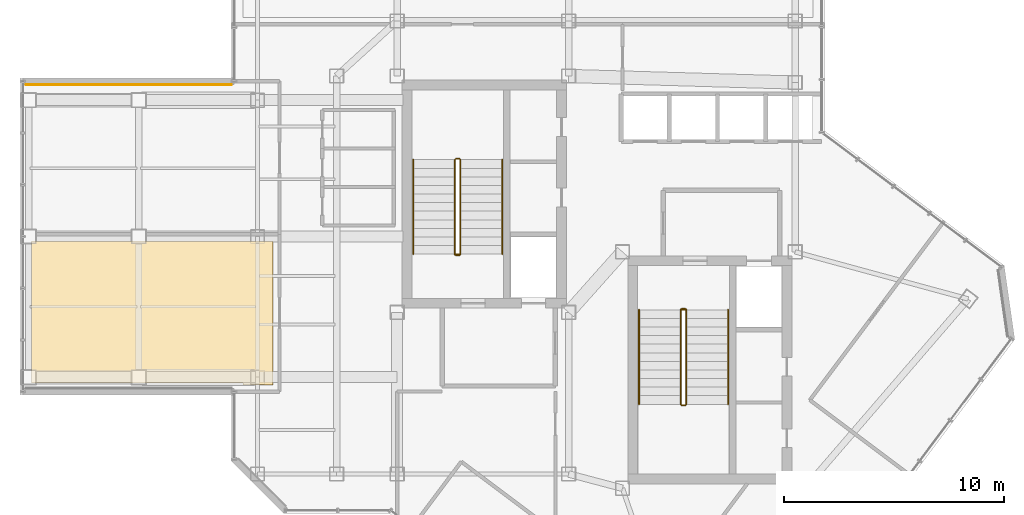
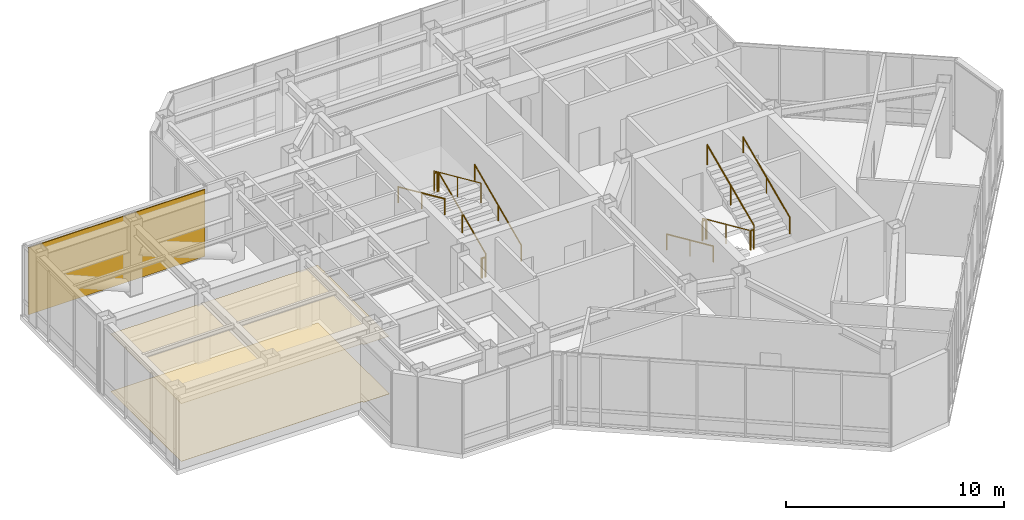
# One storey, part 21 of 22: 14 railings, 3 coverings.
"""IFC4 building model written with IfcOpenShell, lengths in metres."""

from ifc_helpers import new_model, si_unit, direction, frame, origin, origin_2d, place, context, subcontext, project, spatial, polyline, rectangle, circle, outline, extrude, material, layer, layer_set, type_object, element, save


model = new_model("IFC4")

# Units and contexts
model_context = context("Model", 3, precision=1e-05, world=origin(), true_north=direction((0.0, 1.0)))
body_context = subcontext(model_context, "Body", "Model", "MODEL_VIEW")
ifc_project = project(units=[si_unit("LENGTHUNIT", "METRE"), si_unit("AREAUNIT", "SQUARE_METRE"), si_unit("VOLUMEUNIT", "CUBIC_METRE"), si_unit("PLANEANGLEUNIT", "RADIAN"), si_unit("MASSUNIT", "GRAM", prefix="KILO")], contexts=[model_context])

# Site, building, storey
site_placement = place(None, origin())
site = spatial("IfcSite", under=ifc_project, at=site_placement, CompositionType="ELEMENT")
building_placement = place(site_placement, origin())
building = spatial("IfcBuilding", under=site, at=building_placement, Name="Hatsunagi Terrace Concourse", CompositionType="ELEMENT")
storey_placement = place(building_placement, frame((0.0, 0.0, 257.550048828125)))
storey = spatial("IfcBuildingStorey", under=building, at=storey_placement, Name="L68", CompositionType="ELEMENT", Elevation=257.550048828125)

# Coverings
ifc_material_1 = material(Name="Acoustic mineral board", Category="gypsum")
ifc_layer_1 = layer(ifc_material_1, 0.02001953125)
ifc_layer_set_1 = layer_set([ifc_layer_1], Name="AcousticMineralCeiling_20")
covering_type_1 = type_object("IfcCoveringType", Name="AcousticMineralCeiling_20", PredefinedType="CEILING", material=ifc_layer_set_1)
covering_1_placement = place(storey_placement, frame((0.0, 0.0, 3.22998046875)))
element("IfcCovering", 1, at=covering_1_placement, inside=storey, type_object=covering_type_1, Name="Suspended Ceiling L68-2", PredefinedType="CEILING", context=body_context, shape_type="SweptSolid", body=[
    extrude(outline(polyline([(18.530029296875, 29.239990234375), (19.89990234375, 29.239990234375), (19.89990234375, 35.800048828125), (8.929931640625, 35.800048828125), (8.929931640625, 29.330078125), (18.530029296875, 29.330078125), (18.530029296875, 29.239990234375)])), origin(), (0.0, 0.0, 1.0), 0.02001953125),
])
ifc_material_2 = material(Name="Hardwood timber", Category="wood")
ifc_layer_2 = layer(ifc_material_2, 0.014892578125)
ifc_layer_set_2 = layer_set([ifc_layer_2], Name="HardwoodTimberFlooring_15")
covering_type_2 = type_object("IfcCoveringType", Name="HardwoodTimberFlooring_15", PredefinedType="FLOORING", material=ifc_layer_set_2)
covering_2_placement = place(storey_placement, origin())
element("IfcCovering", 2, at=covering_2_placement, inside=storey, type_object=covering_type_2, Name="Finished Flooring L68-2", PredefinedType="FLOORING", context=body_context, shape_type="SweptSolid", body=[
    extrude(outline(polyline([(18.530029296875, 29.239990234375), (19.89990234375, 29.239990234375), (19.89990234375, 35.800048828125), (8.929931640625, 35.800048828125), (8.929931640625, 29.330078125), (18.530029296875, 29.330078125), (18.530029296875, 29.239990234375)])), origin(), (0.0, 0.0, 1.0), 0.014892578125),
])

# Railings
ifc_material_3 = material(Name="Stainless steel", Category="steel")
ifc_layer_3 = layer(ifc_material_3, 0.044921875)
ifc_layer_set_3 = layer_set([ifc_layer_3], Name="StairPitchHandrail_Tower2000")
railing_type_1 = type_object("IfcRailingType", Name="StairPitchHandrail_Tower2000", PredefinedType="HANDRAIL", material=ifc_layer_set_3)
railing_1_placement = place(storey_placement, frame((30.330078125, 35.199951171875, 0.175048828125)))
element("IfcRailing", 3, at=railing_1_placement, inside=storey, type_object=railing_type_1, Name="L68 ST-A stair handrail 1", PredefinedType="HANDRAIL", context=body_context, shape_type="SweptSolid", body=[
    extrude(circle(Radius=0.02392578125, at=origin_2d()), frame((0.0, 0.0, 0.8759765625), z_axis=(0.0, 0.91237561488, 0.409354048925), x_axis=(-1.0, 0.0, 0.0)), (0.0, 0.0, 1.0), 4.7021484375),
    extrude(circle(Radius=0.02099609375, at=origin_2d()), origin(), (0.0, 0.0, 1.0), 0.851806640625),
    extrude(circle(Radius=0.02099609375, at=origin_2d()), frame((0.0, 2.14501953125, 0.96240234375)), (0.0, 0.0, 1.0), 0.851806640625),
    extrude(circle(Radius=0.02099609375, at=origin_2d()), frame((0.0, 4.2900390625, 1.9248046875)), (0.0, 0.0, 1.0), 0.851806640625),
])
railing_2_placement = place(storey_placement, frame((26.280029296875, 39.489990234375, 2.27490234375)))
element("IfcRailing", 4, at=railing_2_placement, inside=storey, type_object=railing_type_1, Name="L68 ST-A stair handrail 2", PredefinedType="HANDRAIL", context=body_context, shape_type="SweptSolid", body=[
    extrude(circle(Radius=0.02392578125, at=origin_2d()), frame((0.0, 0.0, 0.8759765625), z_axis=(0.0, -0.912356222151, 0.409397269045), x_axis=(1.0, 0.0, 0.0)), (0.0, 0.0, 1.0), 4.7021484375),
    extrude(circle(Radius=0.02099609375, at=origin_2d()), origin(), (0.0, 0.0, 1.0), 0.851806640625),
    extrude(circle(Radius=0.02099609375, at=origin_2d()), frame((0.0, -2.14501953125, 0.96240234375)), (0.0, 0.0, 1.0), 0.851806640625),
    extrude(circle(Radius=0.02099609375, at=origin_2d()), frame((0.0, -4.2900390625, 1.925048828125)), (0.0, 0.0, 1.0), 0.851806640625),
])
railing_3_placement = place(storey_placement, frame((36.550048828125, 32.659912109375, 0.175048828125)))
element("IfcRailing", 5, at=railing_3_placement, inside=storey, type_object=railing_type_1, Name="L68 ST-B stair handrail 1", PredefinedType="HANDRAIL", context=body_context, shape_type="SweptSolid", body=[
    extrude(circle(Radius=0.02392578125, at=origin_2d()), frame((0.0, 0.0, 0.8759765625), z_axis=(0.0, -0.912366913633, 0.409373441869), x_axis=(1.0, 0.0, 0.0)), (0.0, 0.0, 1.0), 4.701904296875),
    extrude(circle(Radius=0.02099609375, at=origin_2d()), origin(), (0.0, 0.0, 1.0), 0.851806640625),
    extrude(circle(Radius=0.02099609375, at=origin_2d()), frame((0.0, -2.14501953125, 0.96240234375)), (0.0, 0.0, 1.0), 0.851806640625),
    extrude(circle(Radius=0.02099609375, at=origin_2d()), frame((0.0, -4.289794921875, 1.9248046875)), (0.0, 0.0, 1.0), 0.851806640625),
])
railing_4_placement = place(storey_placement, frame((40.60009765625, 28.3701171875, 2.27490234375)))
element("IfcRailing", 6, at=railing_4_placement, inside=storey, type_object=railing_type_1, Name="L68 ST-B stair handrail 2", PredefinedType="HANDRAIL", context=body_context, shape_type="SweptSolid", body=[
    extrude(circle(Radius=0.02392578125, at=origin_2d()), frame((0.0, 0.0, 0.8759765625), z_axis=(0.0, 0.912347519251, 0.409416663212), x_axis=(-1.0, 0.0, 0.0)), (0.0, 0.0, 1.0), 4.701904296875),
    extrude(circle(Radius=0.02099609375, at=origin_2d()), origin(), (0.0, 0.0, 1.0), 0.851806640625),
    extrude(circle(Radius=0.02099609375, at=origin_2d()), frame((0.0, 2.14501953125, 0.96240234375)), (0.0, 0.0, 1.0), 0.851806640625),
    extrude(circle(Radius=0.02099609375, at=origin_2d()), frame((0.0, 4.289794921875, 1.925048828125)), (0.0, 0.0, 1.0), 0.851806640625),
])
ifc_material_4 = material(Name="Stainless steel", Category="steel")
ifc_layer_4 = layer(ifc_material_4, 0.06005859375)
ifc_layer_set_4 = layer_set([ifc_layer_4], Name="StairWellGuard_Tower2000")
railing_type_2 = type_object("IfcRailingType", Name="StairWellGuard_Tower2000", PredefinedType="BALUSTRADE", material=ifc_layer_set_4)
railing_5_placement = place(storey_placement, frame((28.429931640625, 35.199951171875, 0.175048828125)))
element("IfcRailing", 7, at=railing_5_placement, inside=storey, type_object=railing_type_2, Name="L68 ST-A stair guard 1", PredefinedType="BALUSTRADE", context=body_context, shape_type="SweptSolid", body=[
    extrude(circle(Radius=0.02392578125, at=origin_2d()), frame((0.0, 0.0, 1.09619140625), z_axis=(0.0, 0.91237561488, 0.409354048925), x_axis=(-1.0, 0.0, 0.0)), (0.0, 0.0, 1.0), 4.7021484375),
    extrude(circle(Radius=0.02099609375, at=origin_2d()), origin(), (0.0, 0.0, 1.0), 1.072021484375),
    extrude(circle(Radius=0.02099609375, at=origin_2d()), frame((0.0, 2.14501953125, 0.96240234375)), (0.0, 0.0, 1.0), 1.072021484375),
    extrude(circle(Radius=0.02099609375, at=origin_2d()), frame((0.0, 4.2900390625, 1.9248046875)), (0.0, 0.0, 1.0), 1.072021484375),
])
railing_6_placement = place(storey_placement, frame((28.3798828125, 39.5400390625, 2.099853515625)))
element("IfcRailing", 8, at=railing_6_placement, inside=storey, type_object=railing_type_2, Name="L68 ST-A stair guard 2", PredefinedType="BALUSTRADE", context=body_context, shape_type="SweptSolid", body=[
    extrude(circle(Radius=0.02392578125, at=origin_2d()), frame((0.0, 0.0, 1.09619140625), z_axis=(-1.0, 0.0, 0.0), x_axis=(0.0, -1.0, 0.0)), (0.0, 0.0, 1.0), 0.14990234375),
    extrude(circle(Radius=0.02099609375, at=origin_2d()), origin(), (0.0, 0.0, 1.0), 1.072021484375),
    extrude(circle(Radius=0.02099609375, at=origin_2d()), frame((-0.14990234375, 0.0, 0.0)), (0.0, 0.0, 1.0), 1.072021484375),
])
railing_7_placement = place(storey_placement, frame((28.179931640625, 39.489990234375, 2.27490234375)))
element("IfcRailing", 9, at=railing_7_placement, inside=storey, type_object=railing_type_2, Name="L68 ST-A stair guard 3", PredefinedType="BALUSTRADE", context=body_context, shape_type="SweptSolid", body=[
    extrude(circle(Radius=0.02392578125, at=origin_2d()), frame((0.0, 0.0, 1.09619140625), z_axis=(0.0, -0.912356222151, 0.409397269045), x_axis=(1.0, 0.0, 0.0)), (0.0, 0.0, 1.0), 4.7021484375),
    extrude(circle(Radius=0.02099609375, at=origin_2d()), origin(), (0.0, 0.0, 1.0), 1.072021484375),
    extrude(circle(Radius=0.02099609375, at=origin_2d()), frame((0.0, -2.14501953125, 0.96240234375)), (0.0, 0.0, 1.0), 1.072021484375),
    extrude(circle(Radius=0.02099609375, at=origin_2d()), frame((0.0, -4.2900390625, 1.925048828125)), (0.0, 0.0, 1.0), 1.072021484375),
])
railing_8_placement = place(storey_placement, frame((28.3798828125, 35.14990234375, 0.0)))
element("IfcRailing", 10, at=railing_8_placement, inside=storey, type_object=railing_type_2, Name="L68 ST-A stair guard 4", PredefinedType="BALUSTRADE", context=body_context, shape_type="SweptSolid", body=[
    extrude(circle(Radius=0.02392578125, at=origin_2d()), frame((0.0, 0.0, 1.09619140625), z_axis=(-1.0, 0.0, 0.0), x_axis=(0.0, -1.0, 0.0)), (0.0, 0.0, 1.0), 0.14990234375),
    extrude(circle(Radius=0.02099609375, at=origin_2d()), origin(), (0.0, 0.0, 1.0), 1.072021484375),
    extrude(circle(Radius=0.02099609375, at=origin_2d()), frame((-0.14990234375, 0.0, 0.0)), (0.0, 0.0, 1.0), 1.072021484375),
])
railing_9_placement = place(storey_placement, frame((38.449951171875, 32.659912109375, 0.175048828125)))
element("IfcRailing", 11, at=railing_9_placement, inside=storey, type_object=railing_type_2, Name="L68 ST-B stair guard 1", PredefinedType="BALUSTRADE", context=body_context, shape_type="SweptSolid", body=[
    extrude(circle(Radius=0.02392578125, at=origin_2d()), frame((0.0, 0.0, 1.09619140625), z_axis=(0.0, -0.912366913633, 0.409373441869), x_axis=(1.0, 0.0, 0.0)), (0.0, 0.0, 1.0), 4.701904296875),
    extrude(circle(Radius=0.02099609375, at=origin_2d()), origin(), (0.0, 0.0, 1.0), 1.072021484375),
    extrude(circle(Radius=0.02099609375, at=origin_2d()), frame((0.0, -2.14501953125, 0.96240234375)), (0.0, 0.0, 1.0), 1.072021484375),
    extrude(circle(Radius=0.02099609375, at=origin_2d()), frame((0.0, -4.289794921875, 1.9248046875)), (0.0, 0.0, 1.0), 1.072021484375),
])
railing_10_placement = place(storey_placement, frame((38.5, 28.320068359375, 2.099853515625)))
element("IfcRailing", 12, at=railing_10_placement, inside=storey, type_object=railing_type_2, Name="L68 ST-B stair guard 2", PredefinedType="BALUSTRADE", context=body_context, shape_type="SweptSolid", body=[
    extrude(circle(Radius=0.02392578125, at=origin_2d()), frame((0.0, 0.0, 1.09619140625), z_axis=(1.0, 0.0, 0.0), x_axis=(0.0, 1.0, 0.0)), (0.0, 0.0, 1.0), 0.14990234375),
    extrude(circle(Radius=0.02099609375, at=origin_2d()), origin(), (0.0, 0.0, 1.0), 1.072021484375),
    extrude(circle(Radius=0.02099609375, at=origin_2d()), frame((0.14990234375, 0.0, 0.0)), (0.0, 0.0, 1.0), 1.072021484375),
])
railing_11_placement = place(storey_placement, frame((38.699951171875, 28.3701171875, 2.27490234375)))
element("IfcRailing", 13, at=railing_11_placement, inside=storey, type_object=railing_type_2, Name="L68 ST-B stair guard 3", PredefinedType="BALUSTRADE", context=body_context, shape_type="SweptSolid", body=[
    extrude(circle(Radius=0.02392578125, at=origin_2d()), frame((0.0, 0.0, 1.09619140625), z_axis=(0.0, 0.912347519251, 0.409416663212), x_axis=(-1.0, 0.0, 0.0)), (0.0, 0.0, 1.0), 4.701904296875),
    extrude(circle(Radius=0.02099609375, at=origin_2d()), origin(), (0.0, 0.0, 1.0), 1.072021484375),
    extrude(circle(Radius=0.02099609375, at=origin_2d()), frame((0.0, 2.14501953125, 0.96240234375)), (0.0, 0.0, 1.0), 1.072021484375),
    extrude(circle(Radius=0.02099609375, at=origin_2d()), frame((0.0, 4.289794921875, 1.925048828125)), (0.0, 0.0, 1.0), 1.072021484375),
])
railing_12_placement = place(storey_placement, frame((38.5, 32.7099609375, 0.0)))
element("IfcRailing", 14, at=railing_12_placement, inside=storey, type_object=railing_type_2, Name="L68 ST-B stair guard 4", PredefinedType="BALUSTRADE", context=body_context, shape_type="SweptSolid", body=[
    extrude(circle(Radius=0.02392578125, at=origin_2d()), frame((0.0, 0.0, 1.09619140625), z_axis=(1.0, 0.0, 0.0), x_axis=(0.0, 1.0, 0.0)), (0.0, 0.0, 1.0), 0.14990234375),
    extrude(circle(Radius=0.02099609375, at=origin_2d()), origin(), (0.0, 0.0, 1.0), 1.072021484375),
    extrude(circle(Radius=0.02099609375, at=origin_2d()), frame((0.14990234375, 0.0, 0.0)), (0.0, 0.0, 1.0), 1.072021484375),
])
ifc_material_5 = material(Name="Stainless Steel SUS316 Post-and-Rail Guard", Category="steel")
ifc_layer_5 = layer(ifc_material_5, 0.080078125)
ifc_layer_set_5 = layer_set([ifc_layer_5], Name="TerracePlantedGuardRail_1200")
railing_type_3 = type_object("IfcRailingType", Name="TerracePlantedGuardRail_1200", PredefinedType="GUARDRAIL", material=ifc_layer_set_5)
for number, where, name in (
    (15, (28.179931640625, 35.179931640625, 0.0), "Stair ST-A Well Closure Guard L68"),
    (16, (38.449951171875, 32.679931640625, 0.0), "Stair ST-B Well Closure Guard L68"),
):
    element("IfcRailing", number, at=place(storey_placement, frame(where)), inside=storey, type_object=railing_type_3, Name=name, PredefinedType="GUARDRAIL", context=body_context, shape_type="SweptSolid", body=[
        extrude(circle(Radius=0.02392578125, at=origin_2d()), frame((0.0, 0.0, 1.09619140625), z_axis=(1.0, 0.0, 0.0), x_axis=(0.0, 1.0, 0.0)), (0.0, 0.0, 1.0), 0.25),
        extrude(circle(Radius=0.02099609375, at=origin_2d()), origin(), (0.0, 0.0, 1.0), 1.072021484375),
        extrude(circle(Radius=0.02099609375, at=origin_2d()), frame((0.25, 0.0, 0.0)), (0.0, 0.0, 1.0), 1.072021484375),
    ])

# Covering
ifc_material_6 = material(Name="Unglazed Warm Terracotta Rainscreen Tile", Category="masonry")
ifc_layer_6 = layer(ifc_material_6, 0.044921875)
ifc_layer_set_6 = layer_set([ifc_layer_6], Name="TerracottaRainscreenCladding_45")
covering_type_3 = type_object("IfcCoveringType", Name="TerracottaRainscreenCladding_45", PredefinedType="CLADDING", material=ifc_layer_set_6)
covering_3_placement = place(storey_placement, frame((13.340087890625, 42.89794921875, 0.099853515625), z_axis=(0.0, 0.0, 1.0), x_axis=(1.0, 0.0, 0.0)))
element("IfcCovering", 17, at=covering_3_placement, inside=storey, type_object=covering_type_3, Name="Terracotta Rainscreen Cladding L68-16", PredefinedType="CLADDING", context=body_context, shape_type="SweptSolid", body=[
    extrude(rectangle(XDim=9.360107421875, YDim=0.044921875, at=origin_2d()), origin(), (0.0, 0.0, 1.0), 3.75),
])

save(model, "model.ifc")
